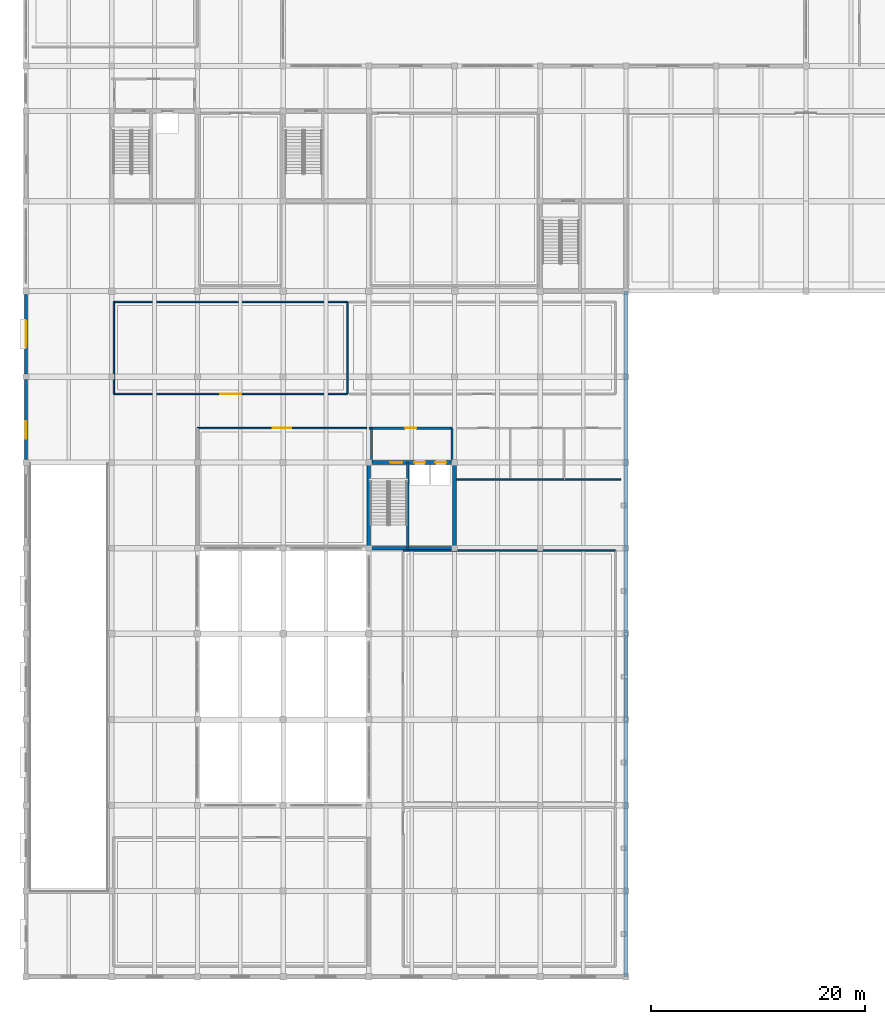
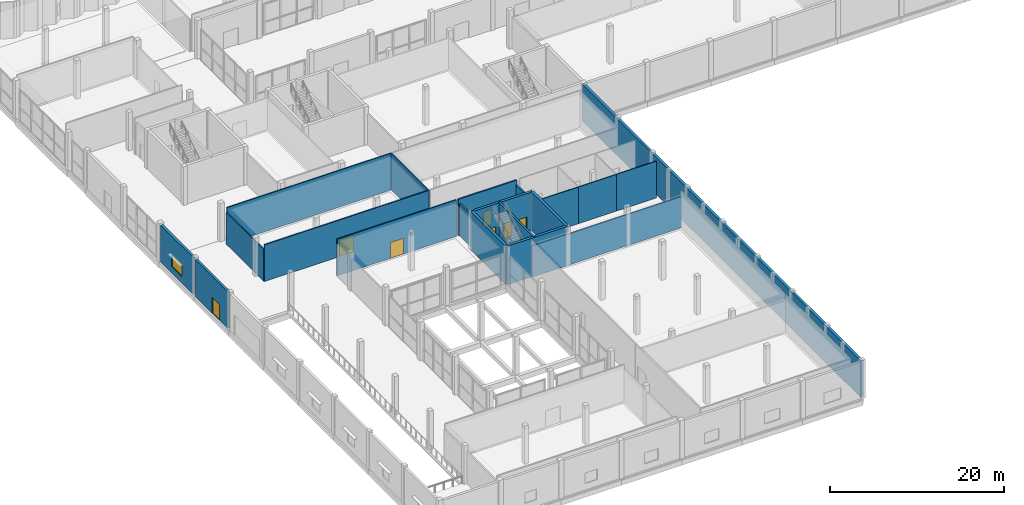
# One storey, part 24 of 41: 20 walls, 7 doors, 1 window, 8 openings.
"""IFC4 building model written with IfcOpenShell, lengths in metres."""

import ifcopenshell
import ifcopenshell.guid

model = None  # the IFC model being written
_history = None  # IfcOwnerHistory: only IFC2X3 demands one
_inside = {}  # id of a spatial element -> (the spatial element, [elements in it])
_under = {}  # id of a project, library or spatial element -> (it, [spatial elements below it])
_declared = {}  # id of a project -> (the project, [libraries it declares])
_typed = {}  # id of a type object -> (the type object, [elements of that type])
_made_of = {}  # id of a material, layer set ... -> (it, [elements and type objects made of it])


def new_model(schema):
    """Start an empty IFC model of exactly this schema.

    Asked for "IFC4X3", IfcOpenShell would pick the latest addendum, in which some entities
    have other attributes; the version numbers below select the first issue.
    IFC2X3 requires an IfcOwnerHistory on every rooted entity: one is made here for all.
    """
    global model, _history
    if schema == "IFC4X3":
        model = ifcopenshell.file(schema_version=(4, 3, 0, 0))
    else:
        model = ifcopenshell.file(schema=schema)
    _inside.clear()
    _under.clear()
    _declared.clear()
    _typed.clear()
    _made_of.clear()
    _history = None
    if model.schema == "IFC2X3":
        org = make("IfcOrganization", Name="unknown")
        user = make(
            "IfcPersonAndOrganization",
            ThePerson=make("IfcPerson", FamilyName="unknown"),
            TheOrganization=org,
        )
        app = make(
            "IfcApplication",
            ApplicationDeveloper=org,
            Version="unknown",
            ApplicationFullName="unknown",
            ApplicationIdentifier="unknown",
        )
        _history = make(
            "IfcOwnerHistory",
            OwningUser=user,
            OwningApplication=app,
            ChangeAction="ADDED",
            CreationDate=0,
        )
    return model


def make(cls, **values):
    """One entity of the class cls with the attributes given. An attribute that is None is left unset."""
    return model.create_entity(
        cls, **{name: value for name, value in values.items() if value is not None}
    )


def rooted(cls, **values):
    """An entity with a GlobalId (a new one), such as an element, a storey or a relation."""
    return make(cls, GlobalId=ifcopenshell.guid.new(), OwnerHistory=_history, **values)


def si_unit(unit_type, name, prefix=None):
    """IfcSIUnit, for example si_unit("LENGTHUNIT", "METRE", prefix="MILLI")."""
    return make("IfcSIUnit", UnitType=unit_type, Prefix=prefix, Name=name)


def assignment(units):
    """IfcUnitAssignment: the units of a project."""
    return None if units is None else make("IfcUnitAssignment", Units=units)


def point(xyz):
    """IfcCartesianPoint."""
    return None if xyz is None else make("IfcCartesianPoint", Coordinates=xyz)


def direction(xyz):
    """IfcDirection."""
    return None if xyz is None else make("IfcDirection", DirectionRatios=xyz)


def frame(location, z_axis=None, x_axis=None):
    """IfcAxis2Placement3D, a coordinate frame: its origin and axes. An axis left out is left unset."""
    return make(
        "IfcAxis2Placement3D",
        Location=point(location),
        Axis=direction(z_axis),
        RefDirection=direction(x_axis),
    )


def frame_2d(location, x_axis=None):
    """IfcAxis2Placement2D, a coordinate frame in the plane: its origin and x axis."""
    return make(
        "IfcAxis2Placement2D", Location=point(location), RefDirection=direction(x_axis)
    )


def origin():
    """The frame at (0, 0, 0) with its axes left unset."""
    return frame((0.0, 0.0, 0.0))


def place(relative_to, where):
    """IfcLocalPlacement: puts the frame where relative to a parent placement (None: the world)."""
    return make(
        "IfcLocalPlacement", PlacementRelTo=relative_to, RelativePlacement=where
    )


def context(
    kind, dimensions, precision=None, world=None, true_north=None, identifier=None
):
    """IfcGeometricRepresentationContext, for example the 3D "Model" context."""
    return make(
        "IfcGeometricRepresentationContext",
        ContextIdentifier=identifier,
        ContextType=kind,
        CoordinateSpaceDimension=dimensions,
        Precision=precision,
        WorldCoordinateSystem=world,
        TrueNorth=true_north,
    )


def subcontext(parent, identifier, kind, view, scale=None):
    """IfcGeometricRepresentationSubContext, for example "Body" below "Model"."""
    return make(
        "IfcGeometricRepresentationSubContext",
        ContextIdentifier=identifier,
        ContextType=kind,
        ParentContext=parent,
        TargetScale=scale,
        TargetView=view,
    )


def project(units=None, contexts=None):
    """IfcProject with its units and contexts."""
    return rooted(
        "IfcProject",
        Name="project",
        RepresentationContexts=contexts,
        UnitsInContext=assignment(units),
    )


def spatial(cls, under=None, at=None, **own):
    """A site, building, storey or space (cls), placed at a placement, below another one or the project."""
    s = rooted(cls, ObjectPlacement=at, **own)
    if under is not None:
        _under.setdefault(under.id(), (under, []))[1].append(s)
    return s


def profile(cls, at=None, kind="AREA", **sizes):
    """A parametric profile (cls). Its sizes go by their IFC names, for example OverallWidth=200.0."""
    return make(cls, ProfileType=kind, Position=at, **sizes)


def rectangle(**sizes):
    """IfcRectangleProfileDef."""
    return profile("IfcRectangleProfileDef", **sizes)


def extrude(swept, where, along, depth):
    """IfcExtrudedAreaSolid: the profile swept, set in the frame where, extruded along a direction by depth."""
    return make(
        "IfcExtrudedAreaSolid",
        SweptArea=swept,
        Position=where,
        ExtrudedDirection=direction(along),
        Depth=depth,
    )


def shape(context_of_items, identifier, shape_type, items):
    """IfcShapeRepresentation: the items that make up one representation, for example the "Body"."""
    return make(
        "IfcShapeRepresentation",
        ContextOfItems=context_of_items,
        RepresentationIdentifier=identifier,
        RepresentationType=shape_type,
        Items=items,
    )


def material(Name=None, Category=None):
    """IfcMaterial."""
    return make("IfcMaterial", Name=Name, Category=Category)


def layer(
    of_material, thickness, ventilated=None, Name=None, Category=None, Priority=None
):
    """IfcMaterialLayer: one layer of a wall or slab, of a material (None: an air gap)."""
    return make(
        "IfcMaterialLayer",
        Material=of_material,
        LayerThickness=thickness,
        IsVentilated=ventilated,
        Name=Name,
        Category=Category,
        Priority=Priority,
    )


def layer_set(layers, Name=None):
    """IfcMaterialLayerSet."""
    return make("IfcMaterialLayerSet", MaterialLayers=layers, LayerSetName=Name)


def made_of(thing, what):
    """Note that an element or type object is made of a material, layer set ...; save() writes the relation."""
    if what is not None:
        _made_of.setdefault(what.id(), (what, []))[1].append(thing)
    return thing


def type_object(cls, material=None, **own):
    """A type object (cls), such as IfcWallType, which elements share."""
    return made_of(rooted(cls, **own), material)


def element(
    cls,
    number,
    at=None,
    inside=None,
    cuts=None,
    type_object=None,
    material=None,
    context=None,
    identifier="Body",
    shape_type=None,
    held_by="IfcProductDefinitionShape",
    body=None,
    shapes=None,
    **own,
):
    """One element of the class cls, such as IfcWall. Its Tag is "e" and its number.

    at: its placement. inside: the storey or other place that contains it. cuts: it is an
    opening in that element (IfcRelVoidsElement). A single representation is given by context,
    identifier, shape_type and body (its items); several are given by shapes. held_by: the class
    of the entity that holds the representations. save() writes the other relations.
    """
    e = rooted(cls, Tag="e%d" % number, ObjectPlacement=at, **own)
    if body is not None:
        shapes = [shape(context, identifier, shape_type, body)]
    if shapes is not None:
        e.Representation = make(held_by, Representations=shapes)
    if inside is not None:
        _inside.setdefault(inside.id(), (inside, []))[1].append(e)
    if cuts is not None:
        rooted(
            "IfcRelVoidsElement", RelatingBuildingElement=cuts, RelatedOpeningElement=e
        )
    if type_object is not None:
        _typed.setdefault(type_object.id(), (type_object, []))[1].append(e)
    return made_of(e, material)


def fill(opening, filler):
    """IfcRelFillsElement: the door or window that sits in an opening."""
    return rooted(
        "IfcRelFillsElement",
        RelatingOpeningElement=opening,
        RelatedBuildingElement=filler,
    )


def aggregate(whole, parts):
    """IfcRelAggregates: a whole, such as a stair, and the parts it consists of."""
    return rooted("IfcRelAggregates", RelatingObject=whole, RelatedObjects=parts)


def save(model, path):
    """Write the relations noted so far, then the file.

    IfcRelAggregates (storeys below a building ...), IfcRelContainedInSpatialStructure (elements
    in a storey), IfcRelDefinesByType, IfcRelAssociatesMaterial and IfcRelDeclares: one each for
    every whole, place, type object, material and project.
    """
    for whole, parts in _under.values():
        aggregate(whole, parts)
    for where, things in _inside.values():
        rooted(
            "IfcRelContainedInSpatialStructure",
            RelatedElements=things,
            RelatingStructure=where,
        )
    for kind, things in _typed.values():
        rooted("IfcRelDefinesByType", RelatedObjects=things, RelatingType=kind)
    for what, things in _made_of.values():
        rooted("IfcRelAssociatesMaterial", RelatedObjects=things, RelatingMaterial=what)
    for by, libraries in _declared.values():
        rooted("IfcRelDeclares", RelatingContext=by, RelatedDefinitions=libraries)
    model.write(path)


model = new_model("IFC4")

# Units and contexts
model_context = context("Model", 3, precision=1e-05, world=origin(), true_north=direction((0.0, 1.0)))
body_context = subcontext(model_context, "Body", "Model", "MODEL_VIEW")
ifc_project = project(units=[si_unit("LENGTHUNIT", "METRE"), si_unit("AREAUNIT", "SQUARE_METRE"), si_unit("VOLUMEUNIT", "CUBIC_METRE"), si_unit("PLANEANGLEUNIT", "RADIAN"), si_unit("MASSUNIT", "GRAM", prefix="KILO")], contexts=[model_context])

# Site, building, storey
site_placement = place(None, origin())
site = spatial("IfcSite", under=ifc_project, at=site_placement, CompositionType="ELEMENT")
building_placement = place(site_placement, origin())
building = spatial("IfcBuilding", under=site, at=building_placement, Name="Vharandega Faculty of Natural Sciences", CompositionType="ELEMENT")
storey_placement = place(building_placement, origin())
storey = spatial("IfcBuildingStorey", under=building, at=storey_placement, Name="L00", CompositionType="ELEMENT", Elevation=0.0)

# Walls
ifc_material_1 = material(Name="Concrete C40/50", Category="concrete")
ifc_layer_1 = layer(ifc_material_1, 0.35009765625, Name="Concrete C40/50")
ifc_layer_set_1 = layer_set([ifc_layer_1], Name="Concrete C40/50")
wall_type_1 = type_object("IfcWallType", Name="Core Shear Wall 350", PredefinedType="SHEAR", material=ifc_layer_set_1)
for number, where, z_axis, x_axis, name in (
    (1, (32.0, 40.0, 0.0), (0.0, 0.0, 1.0), (1.0, 0.0, 0.0), "Interior Wall CW-C3-L00-S"),
    (2, (32.0, 40.0, 0.0), (0.0, 0.0, 1.0), (0.0, 1.0, 0.0), "Interior Wall CW-C3-L00-W"),
    (3, (40.0, 40.0, 0.0), (0.0, 0.0, 1.0), (0.0, 1.0, 0.0), "Interior Wall CW-C3-L00-E"),
):
    element("IfcWall", number, at=place(storey_placement, frame(where, z_axis=z_axis, x_axis=x_axis)), inside=storey, type_object=wall_type_1, Name=name, PredefinedType="SHEAR", context=body_context, shape_type="SweptSolid", body=[
        extrude(rectangle(XDim=8.0, YDim=0.35009765625, at=frame_2d((4.0, 0.0))), origin(), (0.0, 0.0, 1.0), 5.39990234375),
    ])

# Wall, openings, doors
wall_1_placement = place(storey_placement, frame((32.0, 48.0, 0.0), z_axis=(0.0, 0.0, 1.0), x_axis=(1.0, 0.0, 0.0)))
wall_1 = element("IfcWall", 4, at=wall_1_placement, inside=storey, type_object=wall_type_1, Name="Interior Wall CW-C3-L00-N", PredefinedType="SHEAR", context=body_context, shape_type="SweptSolid", body=[
    extrude(rectangle(XDim=8.0, YDim=0.35009765625, at=frame_2d((4.0, 0.0))), origin(), (0.0, 0.0, 1.0), 5.39990234375),
])
opening_1_placement = place(wall_1_placement, frame((1.97998046875, 0.0, 0.0)))
opening_1 = element("IfcOpeningElement", 5, at=opening_1_placement, cuts=wall_1, Name="Opening FD1", PredefinedType="OPENING", context=body_context, shape_type="SweptSolid", body=[
    extrude(rectangle(XDim=1.14990234375, YDim=2.199951171875, at=frame_2d((0.574951171875, 1.10009765625))), frame((0.0, 0.18505859375, 0.0), z_axis=(0.0, -1.0, 0.0), x_axis=(1.0, 0.0, 0.0)), (0.0, 0.0, 1.0), 0.3701171875),
])
opening_2_placement = place(wall_1_placement, frame((4.25, 0.0, 0.0)))
opening_2 = element("IfcOpeningElement", 6, at=opening_2_placement, cuts=wall_1, Name="Opening LD-LP3-L00", PredefinedType="OPENING", context=body_context, shape_type="SweptSolid", body=[
    extrude(rectangle(XDim=1.0, YDim=2.14990234375, at=frame_2d((0.5, 1.074951171875))), frame((0.0, 0.18505859375, 0.0), z_axis=(0.0, -1.0, 0.0), x_axis=(1.0, 0.0, 0.0)), (0.0, 0.0, 1.0), 0.3701171875),
])
opening_3_placement = place(wall_1_placement, frame((6.199951171875, 0.0, 0.0)))
opening_3 = element("IfcOpeningElement", 7, at=opening_3_placement, cuts=wall_1, Name="Opening LD-LP4-L00", PredefinedType="OPENING", context=body_context, shape_type="SweptSolid", body=[
    extrude(rectangle(XDim=1.0, YDim=2.14990234375, at=frame_2d((0.5, 1.074951171875))), frame((0.0, 0.18505859375, 0.0), z_axis=(0.0, -1.0, 0.0), x_axis=(1.0, 0.0, 0.0)), (0.0, 0.0, 1.0), 0.3701171875),
])
ifc_material_2 = material(Name="Solid-core hardwood timber fire door", Category="wood")
door_type_1 = type_object("IfcDoorType", Name="FD1-STAIR-1150x2200", OperationType="NOTDEFINED", PredefinedType="DOOR", material=ifc_material_2)
door_1_placement = place(opening_1_placement, origin())
door_1 = element("IfcDoor", 8, at=door_1_placement, inside=storey, type_object=door_type_1, Name="Stair ST3 Fire Door FD1", OperationType="SINGLE_SWING_LEFT", OverallHeight=2.199951171875, OverallWidth=1.14990234375, PredefinedType="DOOR", context=body_context, shape_type="SweptSolid", body=[
    extrude(rectangle(XDim=1.14990234375, YDim=2.199951171875, at=frame_2d((0.574951171875, 1.10009765625))), frame((0.0, 0.02490234375, 0.0), z_axis=(0.0, -1.0, 0.0), x_axis=(1.0, 0.0, 0.0)), (0.0, 0.0, 1.0), 0.050048828125),
])
fill(opening_1, door_1)
ifc_material_3 = material(Name="Brushed stainless steel sliding landing door", Category="steel")
door_type_2 = type_object("IfcDoorType", Name="LD2-PAXLIFT-SLIDING-1000x2150", OperationType="DOUBLE_DOOR_SLIDING", PredefinedType="DOOR", material=ifc_material_3)
door_2_placement = place(opening_2_placement, origin())
door_2 = element("IfcDoor", 9, at=door_2_placement, inside=storey, type_object=door_type_2, Name="Lift Landing Door LD-LP3-L00", OperationType="DOUBLE_DOOR_SLIDING", OverallHeight=2.14990234375, OverallWidth=1.0, PredefinedType="DOOR", context=body_context, shape_type="SweptSolid", body=[
    extrude(rectangle(XDim=1.0, YDim=2.14990234375, at=frame_2d((0.5, 1.074951171875))), frame((0.0, 0.02490234375, 0.0), z_axis=(0.0, -1.0, 0.0), x_axis=(1.0, 0.0, 0.0)), (0.0, 0.0, 1.0), 0.050048828125),
])
fill(opening_2, door_2)
door_3_placement = place(opening_3_placement, origin())
door_3 = element("IfcDoor", 10, at=door_3_placement, inside=storey, type_object=door_type_2, Name="Lift Landing Door LD-LP4-L00", OperationType="DOUBLE_DOOR_SLIDING", OverallHeight=2.14990234375, OverallWidth=1.0, PredefinedType="DOOR", context=body_context, shape_type="SweptSolid", body=[
    extrude(rectangle(XDim=1.0, YDim=2.14990234375, at=frame_2d((0.5, 1.074951171875))), frame((0.0, 0.02490234375, 0.0), z_axis=(0.0, -1.0, 0.0), x_axis=(1.0, 0.0, 0.0)), (0.0, 0.0, 1.0), 0.050048828125),
])
fill(opening_3, door_3)

# Wall, opening, door
ifc_material_4 = material(Name="Concrete C40/50", Category="concrete")
ifc_layer_2 = layer(ifc_material_4, 0.199951171875, Name="Concrete C40/50")
ifc_layer_set_2 = layer_set([ifc_layer_2], Name="Concrete C40/50")
wall_type_2 = type_object("IfcWallType", Name="Firefighting Lobby Wall 200", PredefinedType="PARTITIONING", material=ifc_layer_set_2)
wall_2_placement = place(storey_placement, frame((32.0, 51.199951171875, 0.0), z_axis=(0.0, 0.0, 1.0), x_axis=(1.0, 0.0, 0.0)))
wall_2 = element("IfcWall", 11, at=wall_2_placement, inside=storey, type_object=wall_type_2, Name="Interior Wall PW-LL-C3-L00-N", PredefinedType="PARTITIONING", context=body_context, shape_type="SweptSolid", body=[
    extrude(rectangle(XDim=7.75, YDim=0.199951171875, at=frame_2d((3.875, 0.0))), origin(), (0.0, 0.0, 1.0), 5.1201171875),
])
opening_4_placement = place(wall_2_placement, frame((3.375, 0.0, 0.0)))
opening_4 = element("IfcOpeningElement", 12, at=opening_4_placement, cuts=wall_2, Name="Opening FD4", PredefinedType="OPENING", context=body_context, shape_type="SweptSolid", body=[
    extrude(rectangle(XDim=1.050048828125, YDim=2.14990234375, at=frame_2d((0.52490234375, 1.074951171875))), frame((0.0, 0.10986328125, 0.0), z_axis=(0.0, -1.0, 0.0), x_axis=(1.0, 0.0, 0.0)), (0.0, 0.0, 1.0), 0.219970703125),
])
ifc_material_5 = material(Name="Solid-core hardwood timber fire door", Category="wood")
door_type_3 = type_object("IfcDoorType", Name="FD4-LAB-SGL-1050x2150", OperationType="NOTDEFINED", PredefinedType="DOOR", material=ifc_material_5)
door_4_placement = place(opening_4_placement, origin())
door_4 = element("IfcDoor", 13, at=door_4_placement, inside=storey, type_object=door_type_3, Name="Lift Lobby C3 Door FD4", OperationType="SINGLE_SWING_LEFT", OverallHeight=2.14990234375, OverallWidth=1.050048828125, PredefinedType="DOOR", context=body_context, shape_type="SweptSolid", body=[
    extrude(rectangle(XDim=1.050048828125, YDim=2.14990234375, at=frame_2d((0.52490234375, 1.074951171875))), frame((0.0, 0.02490234375, 0.0), z_axis=(0.0, -1.0, 0.0), x_axis=(1.0, 0.0, 0.0)), (0.0, 0.0, 1.0), 0.050048828125),
])
fill(opening_4, door_4)

# Walls
for number, where, z_axis, x_axis, name in (
    (14, (39.75, 48.0, 0.0), (0.0, 0.0, 1.0), (0.0, 1.0, 0.0), "Interior Wall PW-LL-C3-L00-E"),
    (15, (32.25, 48.0, 0.0), (0.0, 0.0, 1.0), (0.0, 1.0, 0.0), "Interior Wall PW-LL-C3-L00-W"),
):
    element("IfcWall", number, at=place(storey_placement, frame(where, z_axis=z_axis, x_axis=x_axis)), inside=storey, type_object=wall_type_2, Name=name, PredefinedType="PARTITIONING", context=body_context, shape_type="SweptSolid", body=[
        extrude(rectangle(XDim=3.199951171875, YDim=0.199951171875, at=frame_2d((1.60009765625, 0.0))), origin(), (0.0, 0.0, 1.0), 4.469970703125),
    ])

# Wall, opening, door
ifc_material_6 = material(Name="Granite ashlar masonry 25 MPa", Category="masonry")
ifc_layer_3 = layer(ifc_material_6, 0.320068359375, Name="Granite ashlar masonry 25 MPa")
ifc_layer_set_3 = layer_set([ifc_layer_3], Name="Granite ashlar masonry 25 MPa")
wall_type_3 = type_object("IfcWallType", Name="Harare Granite Plinth Wall 320", PredefinedType="SOLIDWALL", material=ifc_layer_set_3)
wall_3_placement = place(storey_placement, frame((0.0, 48.27294921875, 0.0), z_axis=(0.0, 0.0, 1.0), x_axis=(0.0, 1.0, 0.0)))
wall_3 = element("IfcWall", 16, at=wall_3_placement, inside=storey, type_object=wall_type_3, Name="Exterior Wall EW-V5W-L00-G", PredefinedType="SOLIDWALL", context=body_context, shape_type="SweptSolid", body=[
    extrude(rectangle(XDim=7.4541015625, YDim=0.320068359375, at=frame_2d((3.72705078125, 0.0))), origin(), (0.0, 0.0, 1.0), 5.139892578125),
])
opening_5_placement = place(wall_3_placement, frame((1.947021484375, 0.0, 0.0)))
opening_5 = element("IfcOpeningElement", 17, at=opening_5_placement, cuts=wall_3, Name="Opening EX-C3", PredefinedType="OPENING", context=body_context, shape_type="SweptSolid", body=[
    extrude(rectangle(XDim=1.64990234375, YDim=2.199951171875, at=frame_2d((0.824951171875, 1.10009765625))), frame((0.0, 0.169921875, 0.0), z_axis=(0.0, -1.0, 0.0), x_axis=(1.0, 0.0, 0.0)), (0.0, 0.0, 1.0), 0.340087890625),
])
ifc_material_7 = material(Name="Thermally broken glazed aluminium door", Category="aluminium")
door_type_4 = type_object("IfcDoorType", Name="EXT-EXIT-DBL-1650x2200", OperationType="DOUBLE_DOOR_SINGLE_SWING", PredefinedType="DOOR", material=ifc_material_7)
door_5_placement = place(opening_5_placement, origin())
door_5 = element("IfcDoor", 18, at=door_5_placement, inside=storey, type_object=door_type_4, Name="West Wing Street Final Exit EX-C3", OperationType="DOUBLE_DOOR_SINGLE_SWING", OverallHeight=2.199951171875, OverallWidth=1.64990234375, PredefinedType="DOOR", context=body_context, shape_type="SweptSolid", body=[
    extrude(rectangle(XDim=1.64990234375, YDim=2.199951171875, at=frame_2d((0.824951171875, 1.10009765625))), frame((0.0, 0.02490234375, 0.0), z_axis=(0.0, -1.0, 0.0), x_axis=(1.0, 0.0, 0.0)), (0.0, 0.0, 1.0), 0.050048828125),
])
fill(opening_5, door_5)

# Wall, opening, window
wall_4_placement = place(storey_placement, frame((0.0, 56.27294921875, 0.0), z_axis=(0.0, 0.0, 1.0), x_axis=(0.0, 1.0, 0.0)))
wall_4 = element("IfcWall", 19, at=wall_4_placement, inside=storey, type_object=wall_type_3, Name="Exterior Wall EW-V5W-L00-H", PredefinedType="SOLIDWALL", context=body_context, shape_type="SweptSolid", body=[
    extrude(rectangle(XDim=7.428955078125, YDim=0.320068359375, at=frame_2d((3.71435546875, 0.0))), origin(), (0.0, 0.0, 1.0), 5.139892578125),
])
opening_6_placement = place(wall_4_placement, frame((2.527099609375, 0.0, 0.8798828125)))
opening_6 = element("IfcOpeningElement", 20, at=opening_6_placement, cuts=wall_4, Name="Opening WN-24", PredefinedType="OPENING", context=body_context, shape_type="SweptSolid", body=[
    extrude(rectangle(XDim=2.39990234375, YDim=1.64990234375, at=frame_2d((1.199951171875, 0.824951171875))), frame((0.0, 0.169921875, 0.0), z_axis=(0.0, -1.0, 0.0), x_axis=(1.0, 0.0, 0.0)), (0.0, 0.0, 1.0), 0.340087890625),
])
ifc_material_8 = material(Name="Double-glazed solar-control glass in thermally broken aluminium frame", Category="aluminium")
window_type = type_object("IfcWindowType", Name="WIN-SEM-240x165", PartitioningType="DOUBLE_PANEL_VERTICAL", PredefinedType="WINDOW", material=ifc_material_8)
window_placement = place(opening_6_placement, origin())
window = element("IfcWindow", 21, at=window_placement, inside=storey, type_object=window_type, Name="Window WIN-L00-0212", OverallHeight=1.64990234375, OverallWidth=2.39990234375, PartitioningType="SINGLE_PANEL", PredefinedType="WINDOW", context=body_context, shape_type="SweptSolid", body=[
    extrude(rectangle(XDim=2.39990234375, YDim=1.64990234375, at=frame_2d((1.199951171875, 0.824951171875))), frame((0.0, 0.030029296875, 0.0), z_axis=(0.0, -1.0, 0.0), x_axis=(1.0, 0.0, 0.0)), (0.0, 0.0, 1.0), 0.06005859375),
])
fill(opening_6, window)

# Walls
ifc_material_9 = material(Name="Granite ashlar masonry 25 MPa", Category="masonry")
ifc_layer_4 = layer(ifc_material_9, 0.340087890625, Name="Granite ashlar masonry 25 MPa")
ifc_layer_set_4 = layer_set([ifc_layer_4], Name="Granite ashlar masonry 25 MPa")
wall_type_4 = type_object("IfcWallType", Name="Imperforate Party Wall 340", PredefinedType="SOLIDWALL", material=ifc_layer_set_4)
wall_5_placement = place(storey_placement, frame((56.0, 64.0, 0.0), z_axis=(0.0, 0.0, 1.0), x_axis=(0.0, -1.0, 0.0)))
element("IfcWall", 22, at=wall_5_placement, inside=storey, type_object=wall_type_4, Name="Exterior Wall EW-PTY-L00-X8", PredefinedType="SOLIDWALL", context=body_context, shape_type="SweptSolid", body=[
    extrude(rectangle(XDim=64.0, YDim=0.340087890625, at=frame_2d((32.0, 0.0))), origin(), (0.0, 0.0, 1.0), 5.159912109375),
])
ifc_material_10 = material(Name="Concrete C40/50", Category="concrete")
ifc_layer_5 = layer(ifc_material_10, 0.260009765625, Name="Concrete C40/50")
ifc_layer_set_5 = layer_set([ifc_layer_5], Name="Concrete C40/50")
wall_type_5 = type_object("IfcWallType", Name="Lift Shaft Shear Wall 260", PredefinedType="SHEAR", material=ifc_layer_set_5)
wall_6_placement = place(storey_placement, frame((35.639892578125, 40.0, 0.0), z_axis=(0.0, 0.0, 1.0), x_axis=(0.0, 1.0, 0.0)))
element("IfcWall", 23, at=wall_6_placement, inside=storey, type_object=wall_type_5, Name="Interior Wall CW-C3-L00-DIV", PredefinedType="SHEAR", context=body_context, shape_type="SweptSolid", body=[
    extrude(rectangle(XDim=8.0, YDim=0.260009765625, at=frame_2d((4.0, 0.0))), origin(), (0.0, 0.0, 1.0), 5.39990234375),
])
ifc_material_11 = material(Name="Gypsum acoustic partition", Category="gypsum")
ifc_layer_6 = layer(ifc_material_11, 0.139892578125, Name="Gypsum acoustic partition")
ifc_layer_set_6 = layer_set([ifc_layer_6], Name="Gypsum acoustic partition")
wall_type_6 = type_object("IfcWallType", Name="Room Partition Wall 140", PredefinedType="PARTITIONING", material=ifc_layer_set_6)
wall_7_placement = place(storey_placement, frame((35.199951171875, 39.800048828125, 0.0), z_axis=(0.0, 0.0, 1.0), x_axis=(1.0, 0.0, 0.0)))
element("IfcWall", 24, at=wall_7_placement, inside=storey, type_object=wall_type_6, Name="Interior Wall PW-L00-R03N", PredefinedType="PARTITIONING", context=body_context, shape_type="SweptSolid", body=[
    extrude(rectangle(XDim=19.800048828125, YDim=0.139892578125, at=frame_2d((9.89990234375, 0.0))), origin(), (0.0, 0.0, 1.0), 4.3701171875),
])

# Wall, opening, door
wall_8_placement = place(storey_placement, frame((16.0, 51.199951171875, 0.0), z_axis=(0.0, 0.0, 1.0), x_axis=(1.0, 0.0, 0.0)))
wall_8 = element("IfcWall", 25, at=wall_8_placement, inside=storey, type_object=wall_type_6, Name="Interior Wall PW-L00-R04N", PredefinedType="PARTITIONING", context=body_context, shape_type="SweptSolid", body=[
    extrude(rectangle(XDim=15.800048828125, YDim=0.139892578125, at=frame_2d((7.89990234375, 0.0))), origin(), (0.0, 0.0, 1.0), 5.139892578125),
])
opening_7_placement = place(wall_8_placement, frame((7.02490234375, 0.0, 0.0)))
opening_7 = element("IfcOpeningElement", 26, at=opening_7_placement, cuts=wall_8, Name="Opening D0232", PredefinedType="OPENING", context=body_context, shape_type="SweptSolid", body=[
    extrude(rectangle(XDim=1.75, YDim=2.199951171875, at=frame_2d((0.875, 1.10009765625))), frame((0.0, 0.080078125, 0.0), z_axis=(0.0, -1.0, 0.0), x_axis=(1.0, 0.0, 0.0)), (0.0, 0.0, 1.0), 0.159912109375),
])
ifc_material_12 = material(Name="Solid-core hardwood timber fire door", Category="wood")
door_type_5 = type_object("IfcDoorType", Name="ID09-HERBARIUM-DBL-1750x2200", OperationType="DOUBLE_DOOR_SINGLE_SWING", PredefinedType="DOOR", material=ifc_material_12)
door_6_placement = place(opening_7_placement, origin())
door_6 = element("IfcDoor", 27, at=door_6_placement, inside=storey, type_object=door_type_5, Name="Natural Sciences Seminar Room 01 Door D0232", OperationType="DOUBLE_DOOR_SINGLE_SWING", OverallHeight=2.199951171875, OverallWidth=1.75, PredefinedType="DOOR", context=body_context, shape_type="SweptSolid", body=[
    extrude(rectangle(XDim=1.75, YDim=2.199951171875, at=frame_2d((0.875, 1.10009765625))), frame((0.0, 0.02490234375, 0.0), z_axis=(0.0, -1.0, 0.0), x_axis=(1.0, 0.0, 0.0)), (0.0, 0.0, 1.0), 0.050048828125),
])
fill(opening_7, door_6)

wall_9_placement = place(storey_placement, frame((8.199951171875, 54.39990234375, 0.0), z_axis=(0.0, 0.0, 1.0), x_axis=(1.0, 0.0, 0.0)))
wall_9 = element("IfcWall", 28, at=wall_9_placement, inside=storey, type_object=wall_type_6, Name="Interior Wall PW-L00-R05S", PredefinedType="PARTITIONING", context=body_context, shape_type="SweptSolid", body=[
    extrude(rectangle(XDim=21.800048828125, YDim=0.139892578125, at=frame_2d((10.89990234375, 0.0))), origin(), (0.0, 0.0, 1.0), 5.139892578125),
])
opening_8_placement = place(wall_9_placement, frame((9.925048828125, 0.0, 0.0)))
opening_8 = element("IfcOpeningElement", 29, at=opening_8_placement, cuts=wall_9, Name="Opening D0233", PredefinedType="OPENING", context=body_context, shape_type="SweptSolid", body=[
    extrude(rectangle(XDim=1.949951171875, YDim=2.35009765625, at=frame_2d((0.97509765625, 1.175048828125))), frame((0.0, 0.080078125, 0.0), z_axis=(0.0, -1.0, 0.0), x_axis=(1.0, 0.0, 0.0)), (0.0, 0.0, 1.0), 0.159912109375),
])
ifc_material_13 = material(Name="Solid-core hardwood timber fire door", Category="wood")
door_type_6 = type_object("IfcDoorType", Name="ID10-WORKSHOP-DBL-1950x2350", OperationType="DOUBLE_DOOR_SINGLE_SWING", PredefinedType="DOOR", material=ifc_material_13)
door_7_placement = place(opening_8_placement, origin())
door_7 = element("IfcDoor", 30, at=door_7_placement, inside=storey, type_object=door_type_6, Name="Natural Sciences Tutorial Room 02 Door D0233", OperationType="DOUBLE_DOOR_SINGLE_SWING", OverallHeight=2.35009765625, OverallWidth=1.949951171875, PredefinedType="DOOR", context=body_context, shape_type="SweptSolid", body=[
    extrude(rectangle(XDim=1.949951171875, YDim=2.35009765625, at=frame_2d((0.97509765625, 1.175048828125))), frame((0.0, 0.02490234375, 0.0), z_axis=(0.0, -1.0, 0.0), x_axis=(1.0, 0.0, 0.0)), (0.0, 0.0, 1.0), 0.050048828125),
])
fill(opening_8, door_7)

# Walls
wall_10_placement = place(storey_placement, frame((8.199951171875, 63.0, 0.0), z_axis=(0.0, 0.0, 1.0), x_axis=(1.0, 0.0, 0.0)))
element("IfcWall", 31, at=wall_10_placement, inside=storey, type_object=wall_type_6, Name="Interior Wall PW-L00-R05N", PredefinedType="PARTITIONING", context=body_context, shape_type="SweptSolid", body=[
    extrude(rectangle(XDim=21.800048828125, YDim=0.139892578125, at=frame_2d((10.89990234375, 0.0))), origin(), (0.0, 0.0, 1.0), 5.139892578125),
])
wall_11_placement = place(storey_placement, frame((8.199951171875, 54.39990234375, 0.0), z_axis=(0.0, 0.0, 1.0), x_axis=(0.0, 1.0, 0.0)))
element("IfcWall", 32, at=wall_11_placement, inside=storey, type_object=wall_type_6, Name="Interior Wall PW-L00-R05W", PredefinedType="PARTITIONING", context=body_context, shape_type="SweptSolid", body=[
    extrude(rectangle(XDim=8.60009765625, YDim=0.139892578125, at=frame_2d((4.300048828125, 0.0))), origin(), (0.0, 0.0, 1.0), 4.469970703125),
])
wall_12_placement = place(storey_placement, frame((30.0, 54.39990234375, 0.0), z_axis=(0.0, 0.0, 1.0), x_axis=(0.0, 1.0, 0.0)))
element("IfcWall", 33, at=wall_12_placement, inside=storey, type_object=wall_type_6, Name="Interior Wall PW-L00-R05E", PredefinedType="PARTITIONING", context=body_context, shape_type="SweptSolid", body=[
    extrude(rectangle(XDim=8.60009765625, YDim=0.139892578125, at=frame_2d((4.300048828125, 0.0))), origin(), (0.0, 0.0, 1.0), 5.139892578125),
])
ifc_material_14 = material(Name="Moisture-resistant gypsum partition", Category="gypsum")
ifc_layer_7 = layer(ifc_material_14, 0.1201171875, Name="Moisture-resistant gypsum partition")
ifc_layer_set_7 = layer_set([ifc_layer_7], Name="Moisture-resistant gypsum partition")
wall_type_7 = type_object("IfcWallType", Name="Sanitary Wet Wall 120", PredefinedType="PARTITIONING", material=ifc_layer_set_7)
for number, where, z_axis, x_axis, name in (
    (34, (40.199951171875, 46.39990234375, 0.0), (0.0, 0.0, 1.0), (1.0, 0.0, 0.0), "Interior Wall PW-L00-R07S"),
    (35, (45.199951171875, 46.39990234375, 0.0), (0.0, 0.0, 1.0), (1.0, 0.0, 0.0), "Interior Wall PW-L00-R08S"),
):
    element("IfcWall", number, at=place(storey_placement, frame(where, z_axis=z_axis, x_axis=x_axis)), inside=storey, type_object=wall_type_7, Name=name, PredefinedType="PARTITIONING", context=body_context, shape_type="SweptSolid", body=[
        extrude(rectangle(XDim=5.0, YDim=0.1201171875, at=frame_2d((2.5, 0.0))), origin(), (0.0, 0.0, 1.0), 5.139892578125),
    ])
wall_13_placement = place(storey_placement, frame((50.199951171875, 46.39990234375, 0.0), z_axis=(0.0, 0.0, 1.0), x_axis=(1.0, 0.0, 0.0)))
element("IfcWall", 36, at=wall_13_placement, inside=storey, type_object=wall_type_7, Name="Interior Wall PW-L00-R09S", PredefinedType="PARTITIONING", context=body_context, shape_type="SweptSolid", body=[
    extrude(rectangle(XDim=5.300048828125, YDim=0.1201171875, at=frame_2d((2.64990234375, 0.0))), origin(), (0.0, 0.0, 1.0), 5.139892578125),
])

save(model, "model.ifc")
